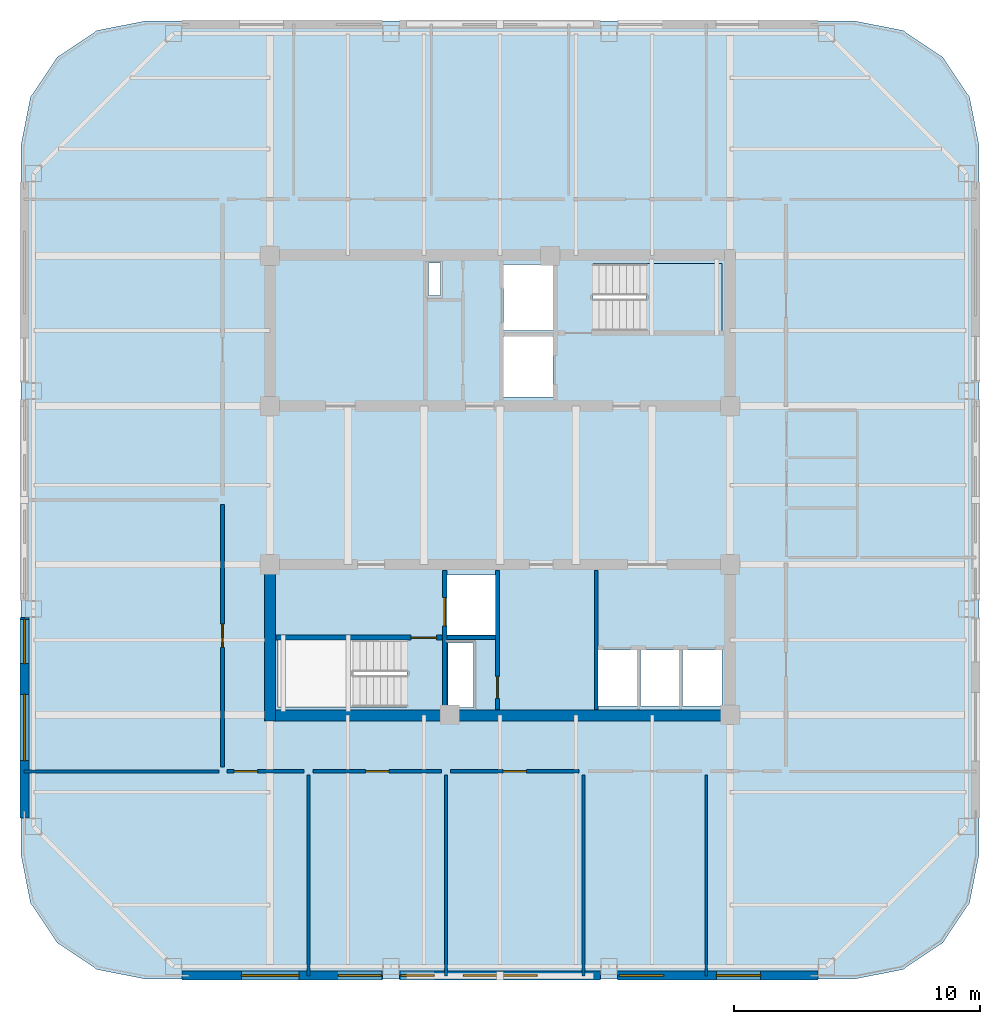
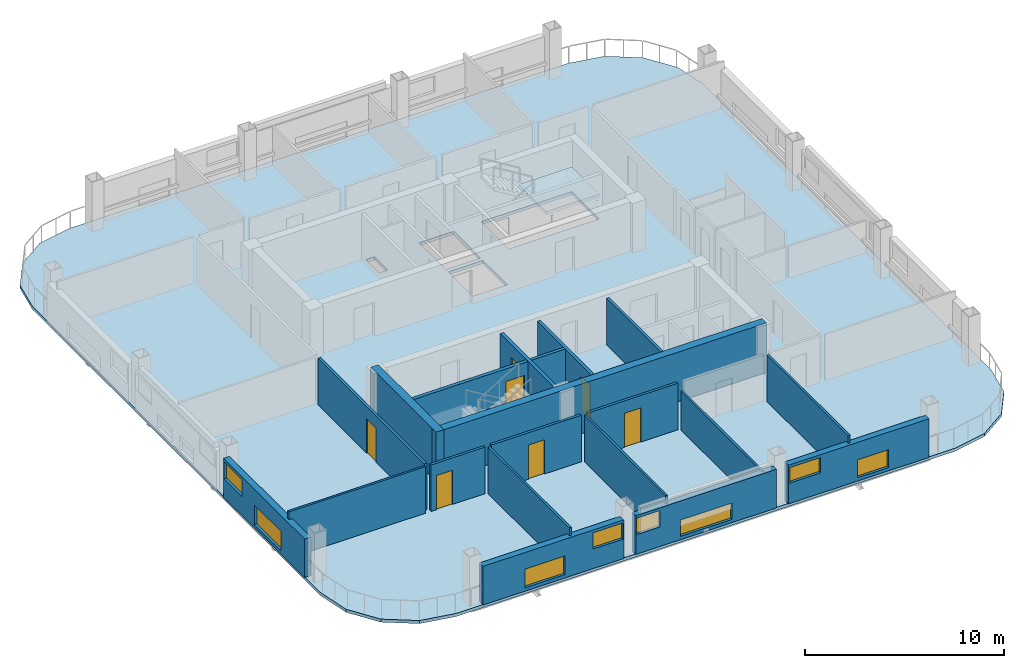
# One storey, part 2 of 8: 20 walls, 8 windows, 7 doors, 2 slabs, 15 openings, 1 element without a shape of its own.
"""IFC4 building model written with IfcOpenShell, lengths in metres."""

from ifc_helpers import new_model, si_unit, direction, frame, frame_2d, origin, place, context, subcontext, project, spatial, polyline, rectangle, outline, extrude, material, layer, layer_set, type_object, element, fill, aggregate, save


model = new_model("IFC4")

# Units and contexts
model_context = context("Model", 3, precision=1e-05, world=origin(), true_north=direction((0.0, 1.0)))
body_context = subcontext(model_context, "Body", "Model", "MODEL_VIEW")
ifc_project = project(units=[si_unit("LENGTHUNIT", "METRE"), si_unit("AREAUNIT", "SQUARE_METRE"), si_unit("VOLUMEUNIT", "CUBIC_METRE"), si_unit("PLANEANGLEUNIT", "RADIAN"), si_unit("MASSUNIT", "GRAM", prefix="KILO")], contexts=[model_context])

# Site, building, storey
site_placement = place(None, origin())
site = spatial("IfcSite", under=ifc_project, at=site_placement, CompositionType="ELEMENT")
building_placement = place(site_placement, origin())
building = spatial("IfcBuilding", under=site, at=building_placement, Name="Qhalaya Broadcast Tower", CompositionType="ELEMENT")
storey_placement = place(building_placement, frame((0.0, 0.0, 208.64990234375)))
storey = spatial("IfcBuildingStorey", under=building, at=storey_placement, Name="L61", CompositionType="ELEMENT", Elevation=208.64990234375)

# Stair, slab
ifc_material_1 = material(Name="Concrete C40/50", Category="concrete")
stair_type = type_object("IfcStairType", Name="Protected Dogleg Core Stair 3150", PredefinedType="TWO_STRAIGHT_RUN_STAIR", material=ifc_material_1)
stair_placement = place(storey_placement, origin())
stair = element("IfcStair", 1, at=stair_placement, inside=storey, type_object=stair_type, Name="L61 North Core Exit Stair ST-1", PredefinedType="TWO_STRAIGHT_RUN_STAIR")
ifc_layer_1 = layer(ifc_material_1, 0.199951171875, Name="Concrete C40/50")
ifc_layer_set_1 = layer_set([ifc_layer_1], Name="Concrete C40/50")
slab_type_1 = type_object("IfcSlabType", Name="Stair & Ramp Half-Landing Slab 200", PredefinedType="LANDING", material=ifc_layer_set_1)
slab_1_placement = place(storey_placement, frame((0.0, 0.0, 1.3251953125)))
slab_1 = element("IfcSlab", 2, at=slab_1_placement, type_object=slab_type_1, Name="ST-1 landing 1", PredefinedType="LANDING", context=body_context, shape_type="SweptSolid", body=[
    extrude(outline(polyline([(5.955078125, 6.8798828125), (9.050048828125, 6.8798828125), (9.050048828125, 9.639892578125), (5.955078125, 9.639892578125), (5.955078125, 6.8798828125)])), origin(), (0.0, 0.0, 1.0), 0.199951171875),
])
aggregate(stair, [slab_1])

# Slab
ifc_layer_2 = layer(ifc_material_1, 0.18994140625, Name="Concrete C40/50")
ifc_layer_set_2 = layer_set([ifc_layer_2], Name="Concrete C40/50")
slab_type_2 = type_object("IfcSlabType", Name="Upper Tower Composite Floor Slab 190", PredefinedType="FLOOR", material=ifc_layer_set_2)
slab_2_placement = place(storey_placement, frame((0.0, 0.0, -0.18994140625)))
element("IfcSlab", 3, at=slab_2_placement, inside=storey, type_object=slab_type_2, Name="L61 Main Structural Floor Slab", PredefinedType="FLOOR", context=body_context, shape_type="SweptSolid", body=[
    extrude(outline(polyline([(14.5, -19.5), (16.413330078125, -19.119384765625), (18.035400390625, -18.035400390625), (19.119384765625, -16.413330078125), (19.5, -14.5), (19.5, 14.5), (19.119384765625, 16.413330078125), (18.035400390625, 18.035400390625), (16.413330078125, 19.119384765625), (14.5, 19.5), (-14.5, 19.5), (-16.413330078125, 19.119384765625), (-18.035400390625, 18.035400390625), (-19.119384765625, 16.413330078125), (-19.5, 14.5), (-19.5, -14.5), (-19.119384765625, -16.413330078125), (-18.035400390625, -18.035400390625), (-16.413330078125, -19.119384765625), (-14.5, -19.5), (14.5, -19.5)]), holes=[polyline([(3.784912109375, 9.639892578125), (9.050048828125, 9.639892578125), (9.050048828125, 6.8798828125), (3.784912109375, 6.8798828125), (3.784912109375, 9.639892578125)]), polyline([(-3.784912109375, -8.43994140625), (-9.050048828125, -8.43994140625), (-9.050048828125, -5.679931640625), (-3.784912109375, -5.679931640625), (-3.784912109375, -8.43994140625)]), polyline([(0.14990234375, 6.64990234375), (2.14990234375, 6.64990234375), (2.14990234375, 4.199951171875), (0.14990234375, 4.199951171875), (0.14990234375, 6.64990234375)]), polyline([(0.14990234375, 9.60009765625), (2.14990234375, 9.60009765625), (2.14990234375, 6.89990234375), (0.14990234375, 6.89990234375), (0.14990234375, 9.60009765625)]), polyline([(-2.14990234375, -3.050048828125), (-0.14990234375, -3.050048828125), (-0.14990234375, -5.5), (-2.14990234375, -5.5), (-2.14990234375, -3.050048828125)]), polyline([(4.0, -6.10009765625), (5.60009765625, -6.10009765625), (5.60009765625, -8.39990234375), (4.0, -8.39990234375), (4.0, -6.10009765625)]), polyline([(5.719970703125, -6.10009765625), (7.320068359375, -6.10009765625), (7.320068359375, -8.39990234375), (5.719970703125, -8.39990234375), (5.719970703125, -6.10009765625)]), polyline([(7.43994140625, -6.10009765625), (9.0400390625, -6.10009765625), (9.0400390625, -8.39990234375), (7.43994140625, -8.39990234375), (7.43994140625, -6.10009765625)]), polyline([(-2.919921875, 9.659912109375), (-2.419921875, 9.659912109375), (-2.419921875, 8.320068359375), (-2.919921875, 8.320068359375), (-2.919921875, 9.659912109375)]), polyline([(-2.1201171875, -5.820068359375), (-1.080078125, -5.820068359375), (-1.080078125, -8.4599609375), (-2.1201171875, -8.4599609375), (-2.1201171875, -5.820068359375)])]), origin(), (0.0, 0.0, 1.0), 0.18994140625),
])

# Wall
ifc_material_2 = material(Name="Gypsum Acoustic Partition")
ifc_layer_3 = layer(ifc_material_2, 0.14990234375, Name="Gypsum Acoustic Partition")
ifc_layer_set_3 = layer_set([ifc_layer_3], Name="Gypsum Acoustic Partition")
wall_type_1 = type_object("IfcWallType", Name="Corridor & Tenancy Acoustic Partition 150", PredefinedType="PARTITIONING", material=ifc_layer_set_3)
wall_1_placement = place(storey_placement, frame((3.919921875, -8.530029296875, 0.0), z_axis=(0.0, 0.0, 1.0), x_axis=(0.0, 1.0, 0.0)))
element("IfcWall", 4, at=wall_1_placement, inside=storey, type_object=wall_type_1, Name="L61 Partition Wall SCW-HSEP", PredefinedType="PARTITIONING", context=body_context, shape_type="SweptSolid", body=[
    extrude(rectangle(XDim=5.659912109375, YDim=0.14990234375, at=frame_2d((2.830078125, 0.0))), origin(), (0.0, 0.0, 1.0), 2.860107421875),
])

# Wall, opening, door
wall_2_placement = place(storey_placement, frame((-11.1201171875, -11.050048828125, 0.0), z_axis=(0.0, 0.0, 1.0), x_axis=(1.0, 0.0, 0.0)))
wall_2 = element("IfcWall", 5, at=wall_2_placement, inside=storey, type_object=wall_type_1, Name="L61 Partition Wall W-COR-06", PredefinedType="PARTITIONING", context=body_context, shape_type="SweptSolid", body=[
    extrude(rectangle(XDim=3.14013671875, YDim=0.14990234375, at=frame_2d((1.570068359375, 0.0))), origin(), (0.0, 0.0, 1.0), 2.860107421875),
])
opening_1_placement = place(wall_2_placement, frame((0.294921875, 0.0, 0.0)))
opening_1 = element("IfcOpeningElement", 6, at=opening_1_placement, cuts=wall_2, Name="Opening D10", PredefinedType="OPENING", context=body_context, shape_type="SweptSolid", body=[
    extrude(rectangle(XDim=0.949951171875, YDim=2.10009765625, at=frame_2d((0.47509765625, 1.050048828125))), frame((0.0, 0.0869140625, 0.0), z_axis=(0.0, -1.0, 0.0), x_axis=(1.0, 0.0, 0.0)), (0.0, 0.0, 1.0), 0.173828125),
])
ifc_material_3 = material(Name="Timber Veneer Acoustic Door", Category="wood")
door_type_1 = type_object("IfcDoorType", Name="Cellular Office & Edit Booth Door D10", OperationType="NOTDEFINED", PredefinedType="DOOR", material=ifc_material_3)
door_1_placement = place(opening_1_placement, origin())
door_1 = element("IfcDoor", 7, at=door_1_placement, inside=storey, type_object=door_type_1, Name="L61 Door D-RM06", OperationType="SINGLE_SWING_RIGHT", OverallHeight=2.10009765625, OverallWidth=0.949951171875, PredefinedType="DOOR", context=body_context, shape_type="SweptSolid", body=[
    extrude(rectangle(XDim=0.949951171875, YDim=2.10009765625, at=frame_2d((0.47509765625, 1.050048828125))), frame((0.0, 0.02490234375, 0.0), z_axis=(0.0, -1.0, 0.0), x_axis=(1.0, 0.0, 0.0)), (0.0, 0.0, 1.0), 0.050048828125),
])
fill(opening_1, door_1)

wall_3_placement = place(storey_placement, frame((-7.6201171875, -11.050048828125, 0.0), z_axis=(0.0, 0.0, 1.0), x_axis=(1.0, 0.0, 0.0)))
wall_3 = element("IfcWall", 8, at=wall_3_placement, inside=storey, type_object=wall_type_1, Name="L61 Partition Wall W-COR-07", PredefinedType="PARTITIONING", context=body_context, shape_type="SweptSolid", body=[
    extrude(rectangle(XDim=5.240234375, YDim=0.14990234375, at=frame_2d((2.6201171875, 0.0))), origin(), (0.0, 0.0, 1.0), 2.860107421875),
])
opening_2_placement = place(wall_3_placement, frame((2.14501953125, 0.0, 0.0)))
opening_2 = element("IfcOpeningElement", 9, at=opening_2_placement, cuts=wall_3, Name="Opening D10", PredefinedType="OPENING", context=body_context, shape_type="SweptSolid", body=[
    extrude(rectangle(XDim=0.949951171875, YDim=2.10009765625, at=frame_2d((0.47509765625, 1.050048828125))), frame((0.0, 0.0869140625, 0.0), z_axis=(0.0, -1.0, 0.0), x_axis=(1.0, 0.0, 0.0)), (0.0, 0.0, 1.0), 0.173828125),
])
door_2_placement = place(opening_2_placement, origin())
door_2 = element("IfcDoor", 10, at=door_2_placement, inside=storey, type_object=door_type_1, Name="L61 Door D-RM07", OperationType="SINGLE_SWING_LEFT", OverallHeight=2.10009765625, OverallWidth=0.949951171875, PredefinedType="DOOR", context=body_context, shape_type="SweptSolid", body=[
    extrude(rectangle(XDim=0.949951171875, YDim=2.10009765625, at=frame_2d((0.47509765625, 1.050048828125))), frame((0.0, 0.02490234375, 0.0), z_axis=(0.0, -1.0, 0.0), x_axis=(1.0, 0.0, 0.0)), (0.0, 0.0, 1.0), 0.050048828125),
])
fill(opening_2, door_2)

wall_4_placement = place(storey_placement, frame((-2.02001953125, -11.050048828125, 0.0), z_axis=(0.0, 0.0, 1.0), x_axis=(1.0, 0.0, 0.0)))
wall_4 = element("IfcWall", 11, at=wall_4_placement, inside=storey, type_object=wall_type_1, Name="L61 Partition Wall W-COR-08", PredefinedType="PARTITIONING", context=body_context, shape_type="SweptSolid", body=[
    extrude(rectangle(XDim=5.239990234375, YDim=0.14990234375, at=frame_2d((2.6201171875, 0.0))), origin(), (0.0, 0.0, 1.0), 2.860107421875),
])
opening_3_placement = place(wall_4_placement, frame((2.14501953125, 0.0, 0.0)))
opening_3 = element("IfcOpeningElement", 12, at=opening_3_placement, cuts=wall_4, Name="Opening D10", PredefinedType="OPENING", context=body_context, shape_type="SweptSolid", body=[
    extrude(rectangle(XDim=0.949951171875, YDim=2.10009765625, at=frame_2d((0.47509765625, 1.050048828125))), frame((0.0, 0.0869140625, 0.0), z_axis=(0.0, -1.0, 0.0), x_axis=(1.0, 0.0, 0.0)), (0.0, 0.0, 1.0), 0.173828125),
])
door_3_placement = place(opening_3_placement, origin())
door_3 = element("IfcDoor", 13, at=door_3_placement, inside=storey, type_object=door_type_1, Name="L61 Door D-RM08", OperationType="SINGLE_SWING_RIGHT", OverallHeight=2.10009765625, OverallWidth=0.949951171875, PredefinedType="DOOR", context=body_context, shape_type="SweptSolid", body=[
    extrude(rectangle(XDim=0.949951171875, YDim=2.10009765625, at=frame_2d((0.47509765625, 1.050048828125))), frame((0.0, 0.02490234375, 0.0), z_axis=(0.0, -1.0, 0.0), x_axis=(1.0, 0.0, 0.0)), (0.0, 0.0, 1.0), 0.050048828125),
])
fill(opening_3, door_3)

wall_5_placement = place(storey_placement, frame((-11.300048828125, -10.8701171875, 0.0), z_axis=(0.0, 0.0, 1.0), x_axis=(0.0, 1.0, 0.0)))
wall_5 = element("IfcWall", 14, at=wall_5_placement, inside=storey, type_object=wall_type_1, Name="L61 Partition Wall W-COR-11", PredefinedType="PARTITIONING", context=body_context, shape_type="SweptSolid", body=[
    extrude(rectangle(XDim=10.690185546875, YDim=0.14990234375, at=frame_2d((5.34521484375, 0.0))), origin(), (0.0, 0.0, 1.0), 2.860107421875),
])
opening_4_placement = place(wall_5_placement, frame((4.8701171875, 0.0, 0.0)))
opening_4 = element("IfcOpeningElement", 15, at=opening_4_placement, cuts=wall_5, Name="Opening D10", PredefinedType="OPENING", context=body_context, shape_type="SweptSolid", body=[
    extrude(rectangle(XDim=0.949951171875, YDim=2.10009765625, at=frame_2d((0.47509765625, 1.050048828125))), frame((0.0, 0.0869140625, 0.0), z_axis=(0.0, -1.0, 0.0), x_axis=(1.0, 0.0, 0.0)), (0.0, 0.0, 1.0), 0.173828125),
])
door_4_placement = place(opening_4_placement, origin())
door_4 = element("IfcDoor", 16, at=door_4_placement, inside=storey, type_object=door_type_1, Name="L61 Door D-RM11", OperationType="SINGLE_SWING_LEFT", OverallHeight=2.10009765625, OverallWidth=0.949951171875, PredefinedType="DOOR", context=body_context, shape_type="SweptSolid", body=[
    extrude(rectangle(XDim=0.949951171875, YDim=2.10009765625, at=frame_2d((0.47509765625, 1.050048828125))), frame((0.0, 0.02490234375, 0.0), z_axis=(0.0, -1.0, 0.0), x_axis=(1.0, 0.0, 0.0)), (0.0, 0.0, 1.0), 0.050048828125),
])
fill(opening_4, door_4)

# Wall, openings, windows
ifc_material_4 = material(Name="Precast Concrete C40/50", Category="concrete")
ifc_layer_4 = layer(ifc_material_4, 0.360107421875, Name="Precast Concrete C40/50")
ifc_layer_set_4 = layer_set([ifc_layer_4], Name="Precast Concrete C40/50")
wall_type_2 = type_object("IfcWallType", Name="Insulated Precast Terracotta Exterior Wall 360", PredefinedType="SOLIDWALL", material=ifc_layer_set_4)
wall_6_placement = place(storey_placement, frame((12.9619140625, -19.360107421875, 0.0), z_axis=(0.0, 0.0, 1.0), x_axis=(-1.0, 0.0, 0.0)))
wall_6 = element("IfcWall", 17, at=wall_6_placement, inside=storey, type_object=wall_type_2, Name="L61 Exoskeleton Diagrid Infill Wall S1", PredefinedType="SOLIDWALL", context=body_context, shape_type="SweptSolid", body=[
    extrude(rectangle(XDim=8.1787109375, YDim=0.360107421875, at=frame_2d((4.08935546875, 0.0))), origin(), (0.0, 0.0, 1.0), 2.3740234375),
])
opening_5_placement = place(wall_6_placement, frame((2.35009765625, 0.0, 0.199951171875)))
opening_5 = element("IfcOpeningElement", 18, at=opening_5_placement, cuts=wall_6, Name="Opening W13", PredefinedType="OPENING", context=body_context, shape_type="SweptSolid", body=[
    extrude(rectangle(XDim=1.800048828125, YDim=1.10009765625, at=frame_2d((0.89990234375, 0.550048828125))), frame((0.0, 0.192138671875, 0.0), z_axis=(0.0, -1.0, 0.0), x_axis=(1.0, 0.0, 0.0)), (0.0, 0.0, 1.0), 0.384033203125),
])
opening_6_placement = place(wall_6_placement, frame((6.300048828125, 0.0, 1.25)))
opening_6 = element("IfcOpeningElement", 19, at=opening_6_placement, cuts=wall_6, Name="Opening W13", PredefinedType="OPENING", context=body_context, shape_type="SweptSolid", body=[
    extrude(rectangle(XDim=1.800048828125, YDim=0.949951171875, at=frame_2d((0.89990234375, 0.47509765625))), frame((0.0, 0.192138671875, 0.0), z_axis=(0.0, -1.0, 0.0), x_axis=(1.0, 0.0, 0.0)), (0.0, 0.0, 1.0), 0.384033203125),
])
ifc_material_5 = material(Name="Solar-Control Low-E Triple Glazing", Category="glass")
window_type = type_object("IfcWindowType", Name="Upper-Block Diagrid Infill Window W13", PartitioningType="SINGLE_PANEL", PredefinedType="WINDOW", material=ifc_material_5)
window_1_placement = place(opening_5_placement, origin())
window_1 = element("IfcWindow", 20, at=window_1_placement, inside=storey, type_object=window_type, Name="L61 Diagrid Infill Window W13-S1", OverallHeight=1.10009765625, OverallWidth=1.800048828125, PartitioningType="SINGLE_PANEL", PredefinedType="WINDOW", context=body_context, shape_type="SweptSolid", body=[
    extrude(rectangle(XDim=1.800048828125, YDim=1.10009765625, at=frame_2d((0.89990234375, 0.550048828125))), frame((0.0, 0.030029296875, 0.0), z_axis=(0.0, -1.0, 0.0), x_axis=(1.0, 0.0, 0.0)), (0.0, 0.0, 1.0), 0.06005859375),
])
fill(opening_5, window_1)
window_2_placement = place(opening_6_placement, origin())
window_2 = element("IfcWindow", 21, at=window_2_placement, inside=storey, type_object=window_type, Name="L61 Diagrid Infill Window W13-S2", OverallHeight=0.949951171875, OverallWidth=1.800048828125, PartitioningType="SINGLE_PANEL", PredefinedType="WINDOW", context=body_context, shape_type="SweptSolid", body=[
    extrude(rectangle(XDim=1.800048828125, YDim=0.949951171875, at=frame_2d((0.89990234375, 0.47509765625))), frame((0.0, 0.030029296875, 0.0), z_axis=(0.0, -1.0, 0.0), x_axis=(1.0, 0.0, 0.0)), (0.0, 0.0, 1.0), 0.06005859375),
])
fill(opening_6, window_2)

wall_7_placement = place(storey_placement, frame((4.083251953125, -19.360107421875, 0.0), z_axis=(0.0, 0.0, 1.0), x_axis=(-1.0, 0.0, 0.0)))
wall_7 = element("IfcWall", 22, at=wall_7_placement, inside=storey, type_object=wall_type_2, Name="L61 Exoskeleton Diagrid Infill Wall S2", PredefinedType="SOLIDWALL", context=body_context, shape_type="SweptSolid", body=[
    extrude(rectangle(XDim=8.16650390625, YDim=0.360107421875, at=frame_2d((4.083251953125, 0.0))), origin(), (0.0, 0.0, 1.0), 2.3740234375),
])
opening_7_placement = place(wall_7_placement, frame((2.571044921875, 0.0, 0.199951171875)))
opening_7 = element("IfcOpeningElement", 23, at=opening_7_placement, cuts=wall_7, Name="Opening W13", PredefinedType="OPENING", context=body_context, shape_type="SweptSolid", body=[
    extrude(rectangle(XDim=3.0, YDim=1.0, at=frame_2d((1.5, 0.5))), frame((0.0, 0.192138671875, 0.0), z_axis=(0.0, -1.0, 0.0), x_axis=(1.0, 0.0, 0.0)), (0.0, 0.0, 1.0), 0.384033203125),
])
opening_8_placement = place(wall_7_placement, frame((6.77099609375, 0.0, 1.199951171875)))
opening_8 = element("IfcOpeningElement", 24, at=opening_8_placement, cuts=wall_7, Name="Opening W13", PredefinedType="OPENING", context=body_context, shape_type="SweptSolid", body=[
    extrude(rectangle(XDim=1.35009765625, YDim=1.0, at=frame_2d((0.675048828125, 0.5))), frame((0.0, 0.192138671875, 0.0), z_axis=(0.0, -1.0, 0.0), x_axis=(1.0, 0.0, 0.0)), (0.0, 0.0, 1.0), 0.384033203125),
])
window_3_placement = place(opening_7_placement, origin())
window_3 = element("IfcWindow", 25, at=window_3_placement, inside=storey, type_object=window_type, Name="L61 Diagrid Infill Window W13-S3", OverallHeight=1.0, OverallWidth=3.0, PartitioningType="SINGLE_PANEL", PredefinedType="WINDOW", context=body_context, shape_type="SweptSolid", body=[
    extrude(rectangle(XDim=3.0, YDim=1.0, at=frame_2d((1.5, 0.5))), frame((0.0, 0.030029296875, 0.0), z_axis=(0.0, -1.0, 0.0), x_axis=(1.0, 0.0, 0.0)), (0.0, 0.0, 1.0), 0.06005859375),
])
fill(opening_7, window_3)
window_4_placement = place(opening_8_placement, origin())
window_4 = element("IfcWindow", 26, at=window_4_placement, inside=storey, type_object=window_type, Name="L61 Diagrid Infill Window W13-S4", OverallHeight=1.0, OverallWidth=1.35009765625, PartitioningType="SINGLE_PANEL", PredefinedType="WINDOW", context=body_context, shape_type="SweptSolid", body=[
    extrude(rectangle(XDim=1.35009765625, YDim=1.0, at=frame_2d((0.675048828125, 0.5))), frame((0.0, 0.030029296875, 0.0), z_axis=(0.0, -1.0, 0.0), x_axis=(1.0, 0.0, 0.0)), (0.0, 0.0, 1.0), 0.06005859375),
])
fill(opening_8, window_4)

wall_8_placement = place(storey_placement, frame((-4.783203125, -19.360107421875, 0.0), z_axis=(0.0, 0.0, 1.0), x_axis=(-1.0, 0.0, 0.0)))
wall_8 = element("IfcWall", 27, at=wall_8_placement, inside=storey, type_object=wall_type_2, Name="L61 Exoskeleton Diagrid Infill Wall S3", PredefinedType="SOLIDWALL", context=body_context, shape_type="SweptSolid", body=[
    extrude(rectangle(XDim=8.1787109375, YDim=0.360107421875, at=frame_2d((4.08935546875, 0.0))), origin(), (0.0, 0.0, 1.0), 2.3740234375),
])
opening_9_placement = place(wall_8_placement, frame((0.054931640625, 0.0, 1.199951171875)))
opening_9 = element("IfcOpeningElement", 28, at=opening_9_placement, cuts=wall_8, Name="Opening W13", PredefinedType="OPENING", context=body_context, shape_type="SweptSolid", body=[
    extrude(rectangle(XDim=1.75, YDim=1.0, at=frame_2d((0.875, 0.5))), frame((0.0, 0.192138671875, 0.0), z_axis=(0.0, -1.0, 0.0), x_axis=(1.0, 0.0, 0.0)), (0.0, 0.0, 1.0), 0.384033203125),
])
opening_10_placement = place(wall_8_placement, frame((3.405029296875, 0.0, 0.199951171875)))
opening_10 = element("IfcOpeningElement", 29, at=opening_10_placement, cuts=wall_8, Name="Opening W13", PredefinedType="OPENING", context=body_context, shape_type="SweptSolid", body=[
    extrude(rectangle(XDim=2.35009765625, YDim=1.14990234375, at=frame_2d((1.175048828125, 0.574951171875))), frame((0.0, 0.192138671875, 0.0), z_axis=(0.0, -1.0, 0.0), x_axis=(1.0, 0.0, 0.0)), (0.0, 0.0, 1.0), 0.384033203125),
])
window_5_placement = place(opening_9_placement, origin())
window_5 = element("IfcWindow", 30, at=window_5_placement, inside=storey, type_object=window_type, Name="L61 Diagrid Infill Window W13-S5", OverallHeight=1.0, OverallWidth=1.75, PartitioningType="SINGLE_PANEL", PredefinedType="WINDOW", context=body_context, shape_type="SweptSolid", body=[
    extrude(rectangle(XDim=1.75, YDim=1.0, at=frame_2d((0.875, 0.5))), frame((0.0, 0.030029296875, 0.0), z_axis=(0.0, -1.0, 0.0), x_axis=(1.0, 0.0, 0.0)), (0.0, 0.0, 1.0), 0.06005859375),
])
fill(opening_9, window_5)
window_6_placement = place(opening_10_placement, origin())
window_6 = element("IfcWindow", 31, at=window_6_placement, inside=storey, type_object=window_type, Name="L61 Diagrid Infill Window W13-S6", OverallHeight=1.14990234375, OverallWidth=2.35009765625, PartitioningType="SINGLE_PANEL", PredefinedType="WINDOW", context=body_context, shape_type="SweptSolid", body=[
    extrude(rectangle(XDim=2.35009765625, YDim=1.14990234375, at=frame_2d((1.175048828125, 0.574951171875))), frame((0.0, 0.030029296875, 0.0), z_axis=(0.0, -1.0, 0.0), x_axis=(1.0, 0.0, 0.0)), (0.0, 0.0, 1.0), 0.06005859375),
])
fill(opening_10, window_6)

wall_9_placement = place(storey_placement, frame((-19.360107421875, -12.9619140625, 0.0), z_axis=(0.0, 0.0, 1.0), x_axis=(0.0, 1.0, 0.0)))
wall_9 = element("IfcWall", 32, at=wall_9_placement, inside=storey, type_object=wall_type_2, Name="L61 Exoskeleton Diagrid Infill Wall W1", PredefinedType="SOLIDWALL", context=body_context, shape_type="SweptSolid", body=[
    extrude(rectangle(XDim=8.1787109375, YDim=0.360107421875, at=frame_2d((4.08935546875, 0.0))), origin(), (0.0, 0.0, 1.0), 2.3740234375),
])
opening_11_placement = place(wall_9_placement, frame((2.35009765625, 0.0, 0.199951171875)))
opening_11 = element("IfcOpeningElement", 33, at=opening_11_placement, cuts=wall_9, Name="Opening W13", PredefinedType="OPENING", context=body_context, shape_type="SweptSolid", body=[
    extrude(rectangle(XDim=2.699951171875, YDim=1.199951171875, at=frame_2d((1.35009765625, 0.60009765625))), frame((0.0, 0.192138671875, 0.0), z_axis=(0.0, -1.0, 0.0), x_axis=(1.0, 0.0, 0.0)), (0.0, 0.0, 1.0), 0.384033203125),
])
opening_12_placement = place(wall_9_placement, frame((6.300048828125, 0.0, 1.14990234375)))
opening_12 = element("IfcOpeningElement", 34, at=opening_12_placement, cuts=wall_9, Name="Opening W13", PredefinedType="OPENING", context=body_context, shape_type="SweptSolid", body=[
    extrude(rectangle(XDim=1.800048828125, YDim=1.050048828125, at=frame_2d((0.89990234375, 0.52490234375))), frame((0.0, 0.192138671875, 0.0), z_axis=(0.0, -1.0, 0.0), x_axis=(1.0, 0.0, 0.0)), (0.0, 0.0, 1.0), 0.384033203125),
])
window_7_placement = place(opening_11_placement, origin())
window_7 = element("IfcWindow", 35, at=window_7_placement, inside=storey, type_object=window_type, Name="L61 Diagrid Infill Window W13-W1", OverallHeight=1.199951171875, OverallWidth=2.699951171875, PartitioningType="SINGLE_PANEL", PredefinedType="WINDOW", context=body_context, shape_type="SweptSolid", body=[
    extrude(rectangle(XDim=2.699951171875, YDim=1.199951171875, at=frame_2d((1.35009765625, 0.60009765625))), frame((0.0, 0.030029296875, 0.0), z_axis=(0.0, -1.0, 0.0), x_axis=(1.0, 0.0, 0.0)), (0.0, 0.0, 1.0), 0.06005859375),
])
fill(opening_11, window_7)
window_8_placement = place(opening_12_placement, origin())
window_8 = element("IfcWindow", 36, at=window_8_placement, inside=storey, type_object=window_type, Name="L61 Diagrid Infill Window W13-W2", OverallHeight=1.050048828125, OverallWidth=1.800048828125, PartitioningType="SINGLE_PANEL", PredefinedType="WINDOW", context=body_context, shape_type="SweptSolid", body=[
    extrude(rectangle(XDim=1.800048828125, YDim=1.050048828125, at=frame_2d((0.89990234375, 0.52490234375))), frame((0.0, 0.030029296875, 0.0), z_axis=(0.0, -1.0, 0.0), x_axis=(1.0, 0.0, 0.0)), (0.0, 0.0, 1.0), 0.06005859375),
])
fill(opening_12, window_8)

# Wall, opening, door
ifc_material_6 = material(Name="Concrete C50/60", Category="concrete")
ifc_layer_5 = layer(ifc_material_6, 0.199951171875, Name="Concrete C50/60")
ifc_layer_set_5 = layer_set([ifc_layer_5], Name="Concrete C50/60")
wall_type_3 = type_object("IfcWallType", Name="Load-Bearing Stair Shaft Wall 200", PredefinedType="SHEAR", material=ifc_layer_set_5)
wall_10_placement = place(storey_placement, frame((-9.1298828125, -5.60498046875, 0.0), z_axis=(0.0, 0.0, 1.0), x_axis=(1.0, 0.0, 0.0)))
wall_10 = element("IfcWall", 37, at=wall_10_placement, inside=storey, type_object=wall_type_3, Name="L61 Stair Core Shear Wall SCW-ST2", PredefinedType="SHEAR", context=body_context, shape_type="SweptSolid", body=[
    extrude(rectangle(XDim=6.769775390625, YDim=0.199951171875, at=frame_2d((3.384765625, 0.0))), origin(), (0.0, 0.0, 1.0), 2.860107421875),
])
opening_13_placement = place(wall_10_placement, frame((5.5, 0.0, 0.0)))
opening_13 = element("IfcOpeningElement", 38, at=opening_13_placement, cuts=wall_10, Name="Opening D03", PredefinedType="OPENING", context=body_context, shape_type="SweptSolid", body=[
    extrude(rectangle(XDim=1.050048828125, YDim=2.080078125, at=frame_2d((0.52490234375, 1.0400390625))), frame((0.0, 0.112060546875, 0.0), z_axis=(0.0, -1.0, 0.0), x_axis=(1.0, 0.0, 0.0)), (0.0, 0.0, 1.0), 0.223876953125),
])
ifc_material_7 = material(Name="Fire-Rated Steel Door", Category="steel")
door_type_2 = type_object("IfcDoorType", Name="Core Stair Protected Fire Door D03", OperationType="NOTDEFINED", PredefinedType="DOOR", material=ifc_material_7)
door_5_placement = place(opening_13_placement, origin())
door_5 = element("IfcDoor", 39, at=door_5_placement, inside=storey, type_object=door_type_2, Name="L61 Door D-SST2", OperationType="SINGLE_SWING_RIGHT", OverallHeight=2.080078125, OverallWidth=1.050048828125, PredefinedType="DOOR", context=body_context, shape_type="SweptSolid", body=[
    extrude(rectangle(XDim=1.050048828125, YDim=2.080078125, at=frame_2d((0.52490234375, 1.0400390625))), frame((0.0, 0.02490234375, 0.0), z_axis=(0.0, -1.0, 0.0), x_axis=(1.0, 0.0, 0.0)), (0.0, 0.0, 1.0), 0.050048828125),
])
fill(opening_13, door_5)

wall_11_placement = place(storey_placement, frame((-2.25, -8.530029296875, 0.0), z_axis=(0.0, 0.0, 1.0), x_axis=(0.0, 1.0, 0.0)))
wall_11 = element("IfcWall", 40, at=wall_11_placement, inside=storey, type_object=wall_type_3, Name="L61 Stair Core Shear Wall SCW-FF", PredefinedType="SHEAR", context=body_context, shape_type="SweptSolid", body=[
    extrude(rectangle(XDim=5.659912109375, YDim=0.199951171875, at=frame_2d((2.830078125, 0.0))), origin(), (0.0, 0.0, 1.0), 2.860107421875),
])
opening_14_placement = place(wall_11_placement, frame((3.39990234375, 0.0, 0.0)))
opening_14 = element("IfcOpeningElement", 41, at=opening_14_placement, cuts=wall_11, Name="Opening LD2", PredefinedType="OPENING", context=body_context, shape_type="SweptSolid", body=[
    extrude(rectangle(XDim=1.14990234375, YDim=2.080078125, at=frame_2d((0.574951171875, 1.0400390625))), frame((0.0, 0.112060546875, 0.0), z_axis=(0.0, -1.0, 0.0), x_axis=(1.0, 0.0, 0.0)), (0.0, 0.0, 1.0), 0.223876953125),
])
ifc_material_8 = material(Name="Brushed Stainless Steel Lift Door", Category="steel")
door_type_3 = type_object("IfcDoorType", Name="Firefighting Lift Sliding Landing Door LD2", OperationType="DOUBLE_DOOR_SLIDING", PredefinedType="DOOR", material=ifc_material_8)
door_6_placement = place(opening_14_placement, origin())
door_6 = element("IfcDoor", 42, at=door_6_placement, inside=storey, type_object=door_type_3, Name="L61 Door LD-FF2", OperationType="DOUBLE_DOOR_SLIDING", OverallHeight=2.080078125, OverallWidth=1.14990234375, PredefinedType="DOOR", context=body_context, shape_type="SweptSolid", body=[
    extrude(rectangle(XDim=1.14990234375, YDim=2.080078125, at=frame_2d((0.574951171875, 1.0400390625))), frame((0.0, 0.02490234375, 0.0), z_axis=(0.0, -1.0, 0.0), x_axis=(1.0, 0.0, 0.0)), (0.0, 0.0, 1.0), 0.050048828125),
])
fill(opening_14, door_6)

# Walls
ifc_layer_6 = layer(ifc_material_2, 0.1201171875, Name="Gypsum Acoustic Partition")
ifc_layer_set_6 = layer_set([ifc_layer_6], Name="Gypsum Acoustic Partition")
wall_type_4 = type_object("IfcWallType", Name="Office, Booth & Sanitary Partition 120", PredefinedType="PARTITIONING", material=ifc_layer_set_6)
wall_12_placement = place(storey_placement, frame((-19.3798828125, -11.050048828125, 0.0), z_axis=(0.0, 0.0, 1.0), x_axis=(1.0, 0.0, 0.0)))
element("IfcWall", 43, at=wall_12_placement, inside=storey, type_object=wall_type_4, Name="L61 Partition Wall W-BNDW2", PredefinedType="PARTITIONING", context=body_context, shape_type="SweptSolid", body=[
    extrude(rectangle(XDim=7.93994140625, YDim=0.1201171875, at=frame_2d((3.969970703125, 0.0))), origin(), (0.0, 0.0, 1.0), 2.860107421875),
])
for number, where, z_axis, x_axis, name in (
    (44, (-7.800048828125, -19.3798828125, 0.0), (0.0, 0.0, 1.0), (0.0, 1.0, 0.0), "L61 Partition Wall W-DIVS1"),
    (45, (-2.199951171875, -19.3798828125, 0.0), (0.0, 0.0, 1.0), (0.0, 1.0, 0.0), "L61 Partition Wall W-DIVS2"),
):
    element("IfcWall", number, at=place(storey_placement, frame(where, z_axis=z_axis, x_axis=x_axis)), inside=storey, type_object=wall_type_4, Name=name, PredefinedType="PARTITIONING", context=body_context, shape_type="SweptSolid", body=[
        extrude(rectangle(XDim=8.169921875, YDim=0.1201171875, at=frame_2d((4.0849609375, 0.0))), origin(), (0.0, 0.0, 1.0), 2.860107421875),
    ])
wall_13_placement = place(storey_placement, frame((3.39990234375, -19.3798828125, 0.0), z_axis=(0.0, 0.0, 1.0), x_axis=(0.0, 1.0, 0.0)))
element("IfcWall", 46, at=wall_13_placement, inside=storey, type_object=wall_type_4, Name="L61 Partition Wall W-DIVS3", PredefinedType="PARTITIONING", context=body_context, shape_type="SweptSolid", body=[
    extrude(rectangle(XDim=8.169921875, YDim=0.1201171875, at=frame_2d((4.0849609375, 0.0))), origin(), (0.0, 0.0, 1.0), 2.381103515625),
])
wall_14_placement = place(storey_placement, frame((8.39990234375, -19.3798828125, 0.0), z_axis=(0.0, 0.0, 1.0), x_axis=(0.0, 1.0, 0.0)))
element("IfcWall", 47, at=wall_14_placement, inside=storey, type_object=wall_type_4, Name="L61 Partition Wall W-DIVS4", PredefinedType="PARTITIONING", context=body_context, shape_type="SweptSolid", body=[
    extrude(rectangle(XDim=8.169921875, YDim=0.1201171875, at=frame_2d((4.0849609375, 0.0))), origin(), (0.0, 0.0, 1.0), 2.860107421875),
])

# Wall, opening, door
ifc_layer_7 = layer(ifc_material_2, 0.175048828125, Name="Gypsum Acoustic Partition")
ifc_layer_set_7 = layer_set([ifc_layer_7], Name="Gypsum Acoustic Partition")
wall_type_5 = type_object("IfcWallType", Name="Shaft & Riser Fire Partition 175", PredefinedType="PARTITIONING", material=ifc_layer_set_7)
wall_15_placement = place(storey_placement, frame((-0.10009765625, -8.530029296875, 0.0), z_axis=(0.0, 0.0, 1.0), x_axis=(0.0, 1.0, 0.0)))
wall_15 = element("IfcWall", 48, at=wall_15_placement, inside=storey, type_object=wall_type_5, Name="L61 Partition Wall SCW-FFE", PredefinedType="PARTITIONING", context=body_context, shape_type="SweptSolid", body=[
    extrude(rectangle(XDim=5.659912109375, YDim=0.175048828125, at=frame_2d((2.830078125, 0.0))), origin(), (0.0, 0.0, 1.0), 2.860107421875),
])
opening_15_placement = place(wall_15_placement, frame((0.449951171875, 0.0, 0.0)))
opening_15 = element("IfcOpeningElement", 49, at=opening_15_placement, cuts=wall_15, Name="Opening D06", PredefinedType="OPENING", context=body_context, shape_type="SweptSolid", body=[
    extrude(rectangle(XDim=0.89990234375, YDim=2.050048828125, at=frame_2d((0.449951171875, 1.02490234375))), frame((0.0, 0.099609375, 0.0), z_axis=(0.0, -1.0, 0.0), x_axis=(1.0, 0.0, 0.0)), (0.0, 0.0, 1.0), 0.198974609375),
])
door_type_4 = type_object("IfcDoorType", Name="Riser & Electrical Shaft Access Door D06", OperationType="NOTDEFINED", PredefinedType="DOOR", material=ifc_material_7)
door_7_placement = place(opening_15_placement, origin())
door_7 = element("IfcDoor", 50, at=door_7_placement, inside=storey, type_object=door_type_4, Name="L61 Riser Shaft Access Door D-SRSR", OperationType="SINGLE_SWING_LEFT", OverallHeight=2.050048828125, OverallWidth=0.89990234375, PredefinedType="DOOR", context=body_context, shape_type="SweptSolid", body=[
    extrude(rectangle(XDim=0.89990234375, YDim=2.050048828125, at=frame_2d((0.449951171875, 1.02490234375))), frame((0.0, 0.02490234375, 0.0), z_axis=(0.0, -1.0, 0.0), x_axis=(1.0, 0.0, 0.0)), (0.0, 0.0, 1.0), 0.050048828125),
])
fill(opening_15, door_7)

# Walls
wall_16_placement = place(storey_placement, frame((-2.14990234375, -5.60009765625, 0.0), z_axis=(0.0, 0.0, 1.0), x_axis=(1.0, 0.0, 0.0)))
element("IfcWall", 51, at=wall_16_placement, inside=storey, type_object=wall_type_5, Name="L61 Partition Wall SCW-FFM", PredefinedType="PARTITIONING", context=body_context, shape_type="SweptSolid", body=[
    extrude(rectangle(XDim=1.969970703125, YDim=0.175048828125, at=frame_2d((0.98486328125, 0.0))), origin(), (0.0, 0.0, 1.0), 2.860107421875),
])
ifc_layer_8 = layer(ifc_material_6, 0.449951171875, Name="Concrete C50/60")
ifc_layer_set_8 = layer_set([ifc_layer_8], Name="Concrete C50/60")
wall_type_6 = type_object("IfcWallType", Name="Upper Split-Core Shear Wall 450", PredefinedType="SHEAR", material=ifc_layer_set_8)
wall_17_placement = place(storey_placement, frame((-9.60009765625, -8.77490234375, 0.0), z_axis=(0.0, 0.0, 1.0), x_axis=(1.0, 0.0, 0.0)))
element("IfcWall", 52, at=wall_17_placement, inside=storey, type_object=wall_type_6, Name="L61 Split-Core Shear Wall CW-SS", PredefinedType="SHEAR", context=body_context, shape_type="SweptSolid", body=[
    extrude(rectangle(XDim=19.2001953125, YDim=0.449951171875, at=frame_2d((9.60009765625, 0.0))), origin(), (0.0, 0.0, 1.0), 3.050048828125),
])
wall_18_placement = place(storey_placement, frame((-9.375, -9.0, 0.0), z_axis=(0.0, 0.0, 1.0), x_axis=(0.0, 1.0, 0.0)))
element("IfcWall", 53, at=wall_18_placement, inside=storey, type_object=wall_type_6, Name="L61 Split-Core Shear Wall CW-SW", PredefinedType="SHEAR", context=body_context, shape_type="SweptSolid", body=[
    extrude(rectangle(XDim=6.60009765625, YDim=0.449951171875, at=frame_2d((3.300048828125, 0.0))), origin(), (0.0, 0.0, 1.0), 3.050048828125),
])

save(model, "model.ifc")
